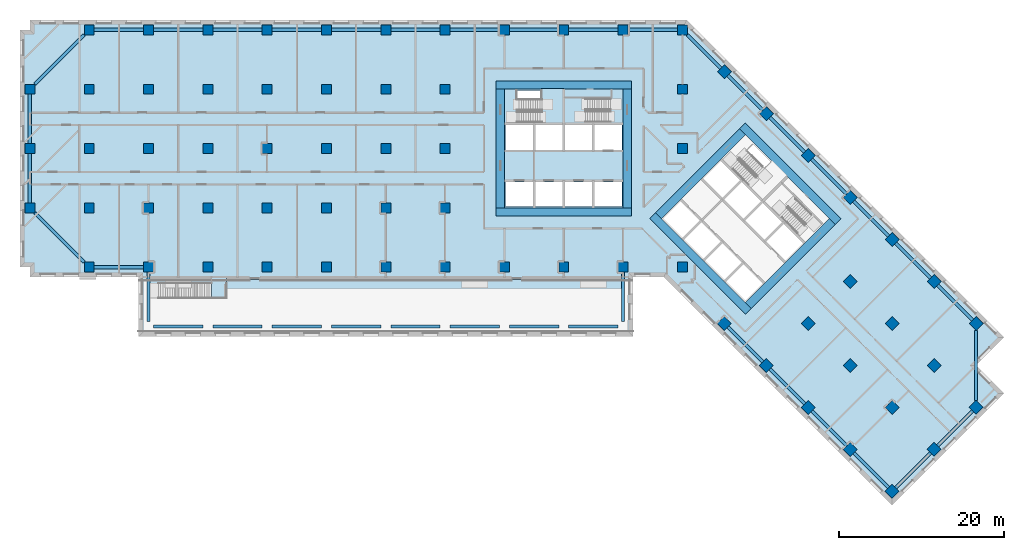
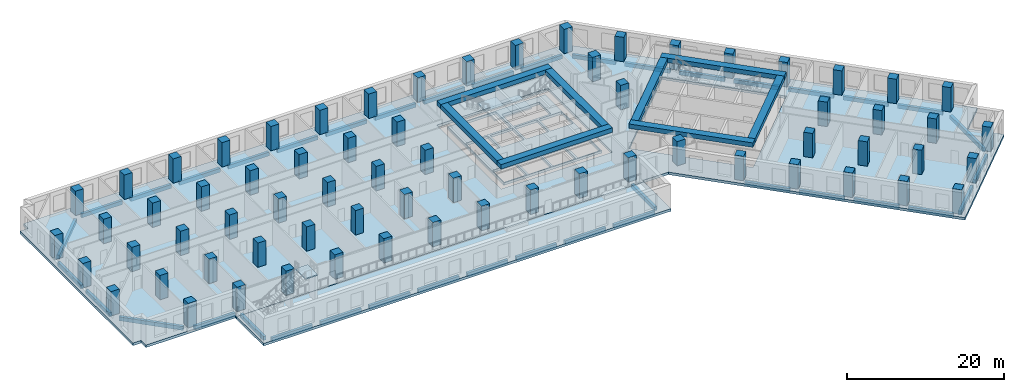
# One storey, part 1 of 14: 68 columns, 47 beams, 6 slabs, 12 openings, 3 elements without a shape of their own.
"""IFC4 building model written with IfcOpenShell, lengths in metres."""

from ifc_helpers import new_model, si_unit, direction, frame, origin, origin_2d, place, context, subcontext, project, spatial, polyline, rectangle, outline, extrude, material, layer, layer_set, material_profile, profile_set, type_object, element, aggregate, save


model = new_model("IFC4")

# Units and contexts
model_context = context("Model", 3, precision=1e-05, world=origin(), true_north=direction((0.0, 1.0)))
body_context = subcontext(model_context, "Body", "Model", "MODEL_VIEW")
ifc_project = project(units=[si_unit("LENGTHUNIT", "METRE"), si_unit("AREAUNIT", "SQUARE_METRE"), si_unit("VOLUMEUNIT", "CUBIC_METRE"), si_unit("PLANEANGLEUNIT", "RADIAN"), si_unit("MASSUNIT", "GRAM", prefix="KILO")], contexts=[model_context])

# Site, building, storey
site_placement = place(None, origin())
site = spatial("IfcSite", under=ifc_project, at=site_placement, CompositionType="ELEMENT")
building_placement = place(site_placement, origin())
building = spatial("IfcBuilding", under=site, at=building_placement, Name="Windrow Commons", CompositionType="ELEMENT")
storey_placement = place(building_placement, frame((0.0, 0.0, 18.6)))
storey = spatial("IfcBuildingStorey", under=building, at=storey_placement, Name="L04", CompositionType="ELEMENT", Elevation=18.6)

# Columns
ifc_material_1 = material(Name="Concrete C60/75", Category="concrete")
ifc_material_profile_1 = material_profile(ifc_material_1, rectangle(XDim=1.2, YDim=1.2, at=origin_2d()))
ifc_profile_set_1 = profile_set([ifc_material_profile_1], Name="Concrete C60/75")
column_type = type_object("IfcColumnType", Name="RC COLUMN 1200x1200 C60/75", PredefinedType="COLUMN", material=ifc_profile_set_1)
for number, where, z_axis, x_axis, name in (
    (1, (0.0, 50.4, 0.0), (0.0, 0.0, 1.0), (1.0, 0.0, 0.0), "C-P-01G"),
    (2, (0.0, 57.6, 0.0), (0.0, 0.0, 1.0), (1.0, 0.0, 0.0), "C-P-01H"),
    (3, (0.0, 64.8, 0.0), (0.0, 0.0, 1.0), (1.0, 0.0, 0.0), "C-P-01I"),
    (4, (7.2, 43.2, 0.0), (0.0, 0.0, 1.0), (1.0, 0.0, 0.0), "C-P-02F"),
    (5, (7.2, 50.4, 0.0), (0.0, 0.0, 1.0), (1.0, 0.0, 0.0), "C-P-02G"),
    (6, (7.2, 57.6, 0.0), (0.0, 0.0, 1.0), (1.0, 0.0, 0.0), "C-P-02H"),
    (7, (7.2, 64.8, 0.0), (0.0, 0.0, 1.0), (1.0, 0.0, 0.0), "C-P-02I"),
    (8, (7.2, 72.0, 0.0), (0.0, 0.0, 1.0), (1.0, 0.0, 0.0), "C-P-02J"),
    (9, (14.4, 43.2, 0.0), (0.0, 0.0, 1.0), (1.0, 0.0, 0.0), "C-P-03F"),
    (10, (14.4, 50.4, 0.0), (0.0, 0.0, 1.0), (1.0, 0.0, 0.0), "C-P-03G"),
    (11, (14.4, 57.6, 0.0), (0.0, 0.0, 1.0), (1.0, 0.0, 0.0), "C-P-03H"),
    (12, (14.4, 64.8, 0.0), (0.0, 0.0, 1.0), (1.0, 0.0, 0.0), "C-P-03I"),
    (13, (14.4, 72.0, 0.0), (0.0, 0.0, 1.0), (1.0, 0.0, 0.0), "C-P-03J"),
    (14, (21.6, 43.2, 0.0), (0.0, 0.0, 1.0), (1.0, 0.0, 0.0), "C-P-04F"),
    (15, (21.6, 50.4, 0.0), (0.0, 0.0, 1.0), (1.0, 0.0, 0.0), "C-P-04G"),
    (16, (21.6, 57.6, 0.0), (0.0, 0.0, 1.0), (1.0, 0.0, 0.0), "C-P-04H"),
    (17, (21.6, 64.8, 0.0), (0.0, 0.0, 1.0), (1.0, 0.0, 0.0), "C-P-04I"),
    (18, (21.6, 72.0, 0.0), (0.0, 0.0, 1.0), (1.0, 0.0, 0.0), "C-P-04J"),
    (19, (28.8, 43.2, 0.0), (0.0, 0.0, 1.0), (1.0, 0.0, 0.0), "C-P-05F"),
    (20, (28.8, 50.4, 0.0), (0.0, 0.0, 1.0), (1.0, 0.0, 0.0), "C-P-05G"),
    (21, (28.8, 57.6, 0.0), (0.0, 0.0, 1.0), (1.0, 0.0, 0.0), "C-P-05H"),
    (22, (28.8, 64.8, 0.0), (0.0, 0.0, 1.0), (1.0, 0.0, 0.0), "C-P-05I"),
    (23, (28.8, 72.0, 0.0), (0.0, 0.0, 1.0), (1.0, 0.0, 0.0), "C-P-05J"),
    (24, (36.0, 43.2, 0.0), (0.0, 0.0, 1.0), (1.0, 0.0, 0.0), "C-P-06F"),
    (25, (36.0, 50.4, 0.0), (0.0, 0.0, 1.0), (1.0, 0.0, 0.0), "C-P-06G"),
    (26, (36.0, 57.6, 0.0), (0.0, 0.0, 1.0), (1.0, 0.0, 0.0), "C-P-06H"),
    (27, (36.0, 64.8, 0.0), (0.0, 0.0, 1.0), (1.0, 0.0, 0.0), "C-P-06I"),
    (28, (36.0, 72.0, 0.0), (0.0, 0.0, 1.0), (1.0, 0.0, 0.0), "C-P-06J"),
    (29, (43.2, 43.2, 0.0), (0.0, 0.0, 1.0), (1.0, 0.0, 0.0), "C-P-07F"),
    (30, (43.2, 50.4, 0.0), (0.0, 0.0, 1.0), (1.0, 0.0, 0.0), "C-P-07G"),
    (31, (43.2, 57.6, 0.0), (0.0, 0.0, 1.0), (1.0, 0.0, 0.0), "C-P-07H"),
    (32, (43.2, 64.8, 0.0), (0.0, 0.0, 1.0), (1.0, 0.0, 0.0), "C-P-07I"),
    (33, (43.2, 72.0, 0.0), (0.0, 0.0, 1.0), (1.0, 0.0, 0.0), "C-P-07J"),
    (34, (50.4, 43.2, 0.0), (0.0, 0.0, 1.0), (1.0, 0.0, 0.0), "C-P-08F"),
    (35, (50.4, 50.4, 0.0), (0.0, 0.0, 1.0), (1.0, 0.0, 0.0), "C-P-08G"),
    (36, (50.4, 57.6, 0.0), (0.0, 0.0, 1.0), (1.0, 0.0, 0.0), "C-P-08H"),
    (37, (50.4, 64.8, 0.0), (0.0, 0.0, 1.0), (1.0, 0.0, 0.0), "C-P-08I"),
    (38, (50.4, 72.0, 0.0), (0.0, 0.0, 1.0), (1.0, 0.0, 0.0), "C-P-08J"),
    (39, (57.6, 43.2, 0.0), (0.0, 0.0, 1.0), (1.0, 0.0, 0.0), "C-P-09F"),
    (40, (57.6, 72.0, 0.0), (0.0, 0.0, 1.0), (1.0, 0.0, 0.0), "C-P-09J"),
    (41, (64.8, 43.2, 0.0), (0.0, 0.0, 1.0), (1.0, 0.0, 0.0), "C-P-10F"),
    (42, (64.8, 72.0, 0.0), (0.0, 0.0, 1.0), (1.0, 0.0, 0.0), "C-P-10J"),
    (43, (72.0, 43.2, 0.0), (0.0, 0.0, 1.0), (1.0, 0.0, 0.0), "C-P-11F"),
    (44, (72.0, 72.0, 0.0), (0.0, 0.0, 1.0), (1.0, 0.0, 0.0), "C-P-11J"),
    (45, (79.2, 43.2, 0.0), (0.0, 0.0, 1.0), (1.0, 0.0, 0.0), "C-P-12F"),
    (46, (79.2, 57.6, 0.0), (0.0, 0.0, 1.0), (1.0, 0.0, 0.0), "C-P-12H"),
    (47, (79.2, 64.8, 0.0), (0.0, 0.0, 1.0), (1.0, 0.0, 0.0), "C-P-12I"),
    (48, (79.2, 72.0, 0.0), (0.0, 0.0, 1.0), (1.0, 0.0, 0.0), "C-P-12J"),
    (49, (84.2912, 66.9088, 0.0), (0.0, 0.0, 1.0), (0.7071067812, -0.7071067812, 0.0), "C-P-P2Q"),
    (50, (89.3823, 61.8177, 0.0), (0.0, 0.0, 1.0), (0.7071067812, -0.7071067812, 0.0), "C-P-P3Q"),
    (51, (94.4735, 56.7265, 0.0), (0.0, 0.0, 1.0), (0.7071067812, -0.7071067812, 0.0), "C-P-P4Q"),
    (52, (99.5647, 51.6353, 0.0), (0.0, 0.0, 1.0), (0.7071067812, -0.7071067812, 0.0), "C-P-P5Q"),
    (53, (84.2912, 36.3618, 0.0), (0.0, 0.0, 1.0), (0.7071067812, -0.7071067812, 0.0), "C-P-P5T"),
    (54, (104.6558, 46.5442, 0.0), (0.0, 0.0, 1.0), (0.7071067812, -0.7071067812, 0.0), "C-P-P6Q"),
    (55, (99.5647, 41.453, 0.0), (0.0, 0.0, 1.0), (0.7071067812, -0.7071067812, 0.0), "C-P-P6R"),
    (56, (94.4735, 36.3618, 0.0), (0.0, 0.0, 1.0), (0.7071067812, -0.7071067812, 0.0), "C-P-P6S"),
    (57, (89.3823, 31.2706, 0.0), (0.0, 0.0, 1.0), (0.7071067812, -0.7071067812, 0.0), "C-P-P6T"),
    (58, (109.747, 41.453, 0.0), (0.0, 0.0, 1.0), (0.7071067812, -0.7071067812, 0.0), "C-P-P7Q"),
    (59, (104.6558, 36.3618, 0.0), (0.0, 0.0, 1.0), (0.7071067812, -0.7071067812, 0.0), "C-P-P7R"),
    (60, (99.5647, 31.2706, 0.0), (0.0, 0.0, 1.0), (0.7071067812, -0.7071067812, 0.0), "C-P-P7S"),
    (61, (94.4735, 26.1795, 0.0), (0.0, 0.0, 1.0), (0.7071067812, -0.7071067812, 0.0), "C-P-P7T"),
    (62, (114.8382, 36.3618, 0.0), (0.0, 0.0, 1.0), (0.7071067812, -0.7071067812, 0.0), "C-P-P8Q"),
    (63, (109.747, 31.2706, 0.0), (0.0, 0.0, 1.0), (0.7071067812, -0.7071067812, 0.0), "C-P-P8R"),
    (64, (104.6558, 26.1795, 0.0), (0.0, 0.0, 1.0), (0.7071067812, -0.7071067812, 0.0), "C-P-P8S"),
    (65, (99.5647, 21.0883, 0.0), (0.0, 0.0, 1.0), (0.7071067812, -0.7071067812, 0.0), "C-P-P8T"),
    (66, (114.8382, 26.1795, 0.0), (0.0, 0.0, 1.0), (0.7071067812, -0.7071067812, 0.0), "C-P-P9R"),
    (67, (109.747, 21.0883, 0.0), (0.0, 0.0, 1.0), (0.7071067812, -0.7071067812, 0.0), "C-P-P9S"),
    (68, (104.6558, 15.9971, 0.0), (0.0, 0.0, 1.0), (0.7071067812, -0.7071067812, 0.0), "C-P-P9T"),
):
    element("IfcColumn", number, at=place(storey_placement, frame(where, z_axis=z_axis, x_axis=x_axis)), inside=storey, type_object=column_type, Name=name, PredefinedType="COLUMN", context=body_context, shape_type="SweptSolid", body=[
        extrude(rectangle(XDim=1.2, YDim=1.2, at=origin_2d()), origin(), (0.0, 0.0, 1.0), 3.8),
    ])

# Beams
ifc_material_2 = material(Name="Concrete C60/75", Category="concrete")
ifc_material_profile_2 = material_profile(ifc_material_2, rectangle(XDim=1.0, YDim=0.7, at=origin_2d()))
ifc_profile_set_2 = profile_set([ifc_material_profile_2], Name="Concrete C60/75")
beam_type_1 = type_object("IfcBeamType", Name="RC COUPLING BEAM 1000x700 C60/75", PredefinedType="LINTEL", material=ifc_profile_set_2)
for number, where, z_axis, x_axis, name in (
    (69, (56.6, 49.9, 3.45), (1.0, 0.0, 0.0), (0.0, 1.0, 0.0), "Core A coupling beam outer-S"),
    (70, (56.6, 65.3, 3.45), (1.0, 0.0, 0.0), (0.0, 1.0, 0.0), "Core A coupling beam outer-N"),
):
    element("IfcBeam", number, at=place(storey_placement, frame(where, z_axis=z_axis, x_axis=x_axis)), inside=storey, type_object=beam_type_1, Name=name, PredefinedType="LINTEL", context=body_context, shape_type="SweptSolid", body=[
        extrude(rectangle(XDim=1.0, YDim=0.7, at=origin_2d()), origin(), (0.0, 0.0, 1.0), 16.4),
    ])
for number, where, z_axis, x_axis, name in (
    (71, (57.1, 50.4, 3.45), (0.0, 1.0, 0.0), (-1.0, 0.0, 0.0), "Core A coupling beam outer-W"),
    (72, (72.5, 50.4, 3.45), (0.0, 1.0, 0.0), (-1.0, 0.0, 0.0), "Core A coupling beam outer-E"),
):
    element("IfcBeam", number, at=place(storey_placement, frame(where, z_axis=z_axis, x_axis=x_axis)), inside=storey, type_object=beam_type_1, Name=name, PredefinedType="LINTEL", context=body_context, shape_type="SweptSolid", body=[
        extrude(rectangle(XDim=1.0, YDim=0.7, at=origin_2d()), origin(), (0.0, 0.0, 1.0), 14.4),
    ])
for number, where, z_axis, x_axis, name in (
    (73, (75.5938, 49.4433, 3.45), (0.7071037324, -0.70710983, 0.0), (0.70710983, 0.7071037324, 0.0), "Core B coupling beam outer-S"),
    (74, (86.4832, 60.3327, 3.45), (0.70710983, -0.7071037324, 0.0), (0.7071037324, 0.70710983, 0.0), "Core B coupling beam outer-N"),
):
    element("IfcBeam", number, at=place(storey_placement, frame(where, z_axis=z_axis, x_axis=x_axis)), inside=storey, type_object=beam_type_1, Name=name, PredefinedType="LINTEL", context=body_context, shape_type="SweptSolid", body=[
        extrude(rectangle(XDim=1.0, YDim=0.7, at=origin_2d()), origin(), (0.0, 0.0, 1.0), 16.4),
    ])
beam_1_placement = place(storey_placement, frame((76.3009, 49.4433, 3.45), z_axis=(0.7071067812, 0.7071067812, 0.0), x_axis=(-0.7071067812, 0.7071067812, 0.0)))
element("IfcBeam", 75, at=beam_1_placement, inside=storey, type_object=beam_type_1, Name="Core B coupling beam outer-W", PredefinedType="LINTEL", context=body_context, shape_type="SweptSolid", body=[
    extrude(rectangle(XDim=1.0, YDim=0.7, at=origin_2d()), origin(), (0.0, 0.0, 1.0), 14.3999),
])
beam_2_placement = place(storey_placement, frame((87.1903, 38.5538, 3.45), z_axis=(0.707103309, 0.7071102534, 0.0), x_axis=(-0.7071102534, 0.707103309, 0.0)))
element("IfcBeam", 76, at=beam_2_placement, inside=storey, type_object=beam_type_1, Name="Core B coupling beam outer-E", PredefinedType="LINTEL", context=body_context, shape_type="SweptSolid", body=[
    extrude(rectangle(XDim=1.0, YDim=0.7, at=origin_2d()), origin(), (0.0, 0.0, 1.0), 14.4),
])
ifc_material_3 = material(Name="Concrete C60/75", Category="concrete")
ifc_material_profile_3 = material_profile(ifc_material_3, rectangle(XDim=0.4, YDim=0.6, at=origin_2d()))
ifc_profile_set_3 = profile_set([ifc_material_profile_3], Name="Concrete C60/75")
beam_type_2 = type_object("IfcBeamType", Name="RC EDGE BEAM 400x600 C60/75", PredefinedType="SPANDREL", material=ifc_profile_set_3)
for number, where, z_axis, x_axis, name in (
    (77, (21.0, 36.0, -0.7), (-1.0, 0.0, 0.0), (0.0, -1.0, 0.0), "Edge beam L04 001"),
    (78, (14.4, 36.6, -0.7), (0.0, 1.0, 0.0), (-1.0, 0.0, 0.0), "Edge beam L04 002"),
    (79, (13.8, 43.2, -0.7), (-1.0, 0.0, 0.0), (0.0, -1.0, 0.0), "Edge beam L04 003"),
):
    element("IfcBeam", number, at=place(storey_placement, frame(where, z_axis=z_axis, x_axis=x_axis)), inside=storey, type_object=beam_type_2, Name=name, PredefinedType="SPANDREL", context=body_context, shape_type="SweptSolid", body=[
        extrude(rectangle(XDim=0.4, YDim=0.6, at=origin_2d()), origin(), (0.0, 0.0, 1.0), 6.0),
    ])
beam_3_placement = place(storey_placement, frame((6.6, 43.8, -0.7), z_axis=(-0.7071067812, 0.7071067812, 0.0), x_axis=(-0.7071067812, -0.7071067812, 0.0)))
element("IfcBeam", 80, at=beam_3_placement, inside=storey, type_object=beam_type_2, Name="Edge beam L04 004", PredefinedType="SPANDREL", context=body_context, shape_type="SweptSolid", body=[
    extrude(rectangle(XDim=0.4, YDim=0.6, at=origin_2d()), origin(), (0.0, 0.0, 1.0), 8.4853),
])
for number, where, z_axis, x_axis, name in (
    (81, (0.0, 51.0, -0.7), (0.0, 1.0, 0.0), (-1.0, 0.0, 0.0), "Edge beam L04 005"),
    (82, (0.0, 58.2, -0.7), (0.0, 1.0, 0.0), (-1.0, 0.0, 0.0), "Edge beam L04 006"),
):
    element("IfcBeam", number, at=place(storey_placement, frame(where, z_axis=z_axis, x_axis=x_axis)), inside=storey, type_object=beam_type_2, Name=name, PredefinedType="SPANDREL", context=body_context, shape_type="SweptSolid", body=[
        extrude(rectangle(XDim=0.4, YDim=0.6, at=origin_2d()), origin(), (0.0, 0.0, 1.0), 6.0),
    ])
beam_4_placement = place(storey_placement, frame((0.6, 65.4, -0.7), z_axis=(0.7071067812, 0.7071067812, 0.0), x_axis=(-0.7071067812, 0.7071067812, 0.0)))
element("IfcBeam", 83, at=beam_4_placement, inside=storey, type_object=beam_type_2, Name="Edge beam L04 007", PredefinedType="SPANDREL", context=body_context, shape_type="SweptSolid", body=[
    extrude(rectangle(XDim=0.4, YDim=0.6, at=origin_2d()), origin(), (0.0, 0.0, 1.0), 8.4853),
])
for number, where, z_axis, x_axis, name in (
    (84, (7.8, 72.0, -0.7), (1.0, 0.0, 0.0), (0.0, 1.0, 0.0), "Edge beam L04 008"),
    (85, (15.0, 72.0, -0.7), (1.0, 0.0, 0.0), (0.0, 1.0, 0.0), "Edge beam L04 009"),
    (86, (22.2, 72.0, -0.7), (1.0, 0.0, 0.0), (0.0, 1.0, 0.0), "Edge beam L04 010"),
    (87, (29.4, 72.0, -0.7), (1.0, 0.0, 0.0), (0.0, 1.0, 0.0), "Edge beam L04 011"),
    (88, (36.6, 72.0, -0.7), (1.0, 0.0, 0.0), (0.0, 1.0, 0.0), "Edge beam L04 012"),
    (89, (43.8, 72.0, -0.7), (1.0, 0.0, 0.0), (0.0, 1.0, 0.0), "Edge beam L04 013"),
    (90, (51.0, 72.0, -0.7), (1.0, 0.0, 0.0), (0.0, 1.0, 0.0), "Edge beam L04 014"),
    (91, (58.2, 72.0, -0.7), (1.0, 0.0, 0.0), (0.0, 1.0, 0.0), "Edge beam L04 015"),
    (92, (65.4, 72.0, -0.7), (1.0, 0.0, 0.0), (0.0, 1.0, 0.0), "Edge beam L04 016"),
    (93, (72.6, 72.0, -0.7), (1.0, 0.0, 0.0), (0.0, 1.0, 0.0), "Edge beam L04 017"),
):
    element("IfcBeam", number, at=place(storey_placement, frame(where, z_axis=z_axis, x_axis=x_axis)), inside=storey, type_object=beam_type_2, Name=name, PredefinedType="SPANDREL", context=body_context, shape_type="SweptSolid", body=[
        extrude(rectangle(XDim=0.4, YDim=0.6, at=origin_2d()), origin(), (0.0, 0.0, 1.0), 6.0),
    ])
beam_5_placement = place(storey_placement, frame((79.8, 71.4, -0.7), z_axis=(0.7071067812, -0.7071067812, 0.0), x_axis=(0.7071067812, 0.7071067812, 0.0)))
element("IfcBeam", 94, at=beam_5_placement, inside=storey, type_object=beam_type_2, Name="Edge beam L04 018", PredefinedType="SPANDREL", context=body_context, shape_type="SweptSolid", body=[
    extrude(rectangle(XDim=0.4, YDim=0.6, at=origin_2d()), origin(), (0.0, 0.0, 1.0), 5.7515),
])
beam_6_placement = place(storey_placement, frame((84.7155, 66.4845, -0.7), z_axis=(0.7071067812, -0.7071067812, 0.0), x_axis=(0.7071067812, 0.7071067812, 0.0)))
element("IfcBeam", 95, at=beam_6_placement, inside=storey, type_object=beam_type_2, Name="Edge beam L04 019", PredefinedType="SPANDREL", context=body_context, shape_type="SweptSolid", body=[
    extrude(rectangle(XDim=0.4, YDim=0.6, at=origin_2d()), origin(), (0.0, 0.0, 1.0), 5.9998),
])
for number, where, z_axis, x_axis, name in (
    (96, (89.8066, 61.3934, -0.7), (0.7071067812, -0.7071067812, 0.0), (0.7071067812, 0.7071067812, 0.0), "Edge beam L04 020"),
    (97, (94.8978, 56.3022, -0.7), (0.7071067812, -0.7071067812, 0.0), (0.7071067812, 0.7071067812, 0.0), "Edge beam L04 021"),
):
    element("IfcBeam", number, at=place(storey_placement, frame(where, z_axis=z_axis, x_axis=x_axis)), inside=storey, type_object=beam_type_2, Name=name, PredefinedType="SPANDREL", context=body_context, shape_type="SweptSolid", body=[
        extrude(rectangle(XDim=0.4, YDim=0.6, at=origin_2d()), origin(), (0.0, 0.0, 1.0), 5.9999),
    ])
beam_7_placement = place(storey_placement, frame((99.989, 51.211, -0.7), z_axis=(0.7071067812, -0.7071067812, 0.0), x_axis=(0.7071067812, 0.7071067812, 0.0)))
element("IfcBeam", 98, at=beam_7_placement, inside=storey, type_object=beam_type_2, Name="Edge beam L04 022", PredefinedType="SPANDREL", context=body_context, shape_type="SweptSolid", body=[
    extrude(rectangle(XDim=0.4, YDim=0.6, at=origin_2d()), origin(), (0.0, 0.0, 1.0), 5.9998),
])
for number, where, z_axis, x_axis, name in (
    (99, (105.0801, 46.1199, -0.7), (0.7071067812, -0.7071067812, 0.0), (0.7071067812, 0.7071067812, 0.0), "Edge beam L04 023"),
    (100, (110.1713, 41.0287, -0.7), (0.7071067812, -0.7071067812, 0.0), (0.7071067812, 0.7071067812, 0.0), "Edge beam L04 024"),
):
    element("IfcBeam", number, at=place(storey_placement, frame(where, z_axis=z_axis, x_axis=x_axis)), inside=storey, type_object=beam_type_2, Name=name, PredefinedType="SPANDREL", context=body_context, shape_type="SweptSolid", body=[
        extrude(rectangle(XDim=0.4, YDim=0.6, at=origin_2d()), origin(), (0.0, 0.0, 1.0), 5.9999),
    ])
beam_8_placement = place(storey_placement, frame((114.8382, 35.5133, -0.7), z_axis=(0.0, -1.0, 0.0), x_axis=(1.0, 0.0, 0.0)))
element("IfcBeam", 101, at=beam_8_placement, inside=storey, type_object=beam_type_2, Name="Edge beam L04 025", PredefinedType="SPANDREL", context=body_context, shape_type="SweptSolid", body=[
    extrude(rectangle(XDim=0.4, YDim=0.6, at=origin_2d()), origin(), (0.0, 0.0, 1.0), 8.4853),
])
for number, where, z_axis, x_axis, name in (
    (102, (114.4139, 25.7552, -0.7), (-0.7071067812, -0.7071067812, 0.0), (0.7071067812, -0.7071067812, 0.0), "Edge beam L04 026"),
    (103, (109.3227, 20.664, -0.7), (-0.7071067812, -0.7071067812, 0.0), (0.7071067812, -0.7071067812, 0.0), "Edge beam L04 027"),
    (104, (104.2315, 16.4214, -0.7), (-0.7070984476, 0.7071151146, 0.0), (-0.7071151146, -0.7070984476, 0.0), "Edge beam L04 028"),
    (105, (99.1404, 21.5126, -0.7), (-0.7071067812, 0.7071067812, 0.0), (-0.7071067812, -0.7071067812, 0.0), "Edge beam L04 029"),
    (106, (94.0492, 26.6038, -0.7), (-0.7071151146, 0.7070984476, 0.0), (-0.7070984476, -0.7071151146, 0.0), "Edge beam L04 030"),
    (107, (88.958, 31.6949, -0.7), (-0.7070984476, 0.7071151146, 0.0), (-0.7071151146, -0.7070984476, 0.0), "Edge beam L04 031"),
):
    element("IfcBeam", number, at=place(storey_placement, frame(where, z_axis=z_axis, x_axis=x_axis)), inside=storey, type_object=beam_type_2, Name=name, PredefinedType="SPANDREL", context=body_context, shape_type="SweptSolid", body=[
        extrude(rectangle(XDim=0.4, YDim=0.6, at=origin_2d()), origin(), (0.0, 0.0, 1.0), 5.9999),
    ])
for number, where, z_axis, x_axis, name in (
    (108, (72.0, 42.6, -0.7), (0.0, -1.0, 0.0), (1.0, 0.0, 0.0), "Edge beam L04 032"),
    (109, (71.4, 36.0, -0.7), (-1.0, 0.0, 0.0), (0.0, -1.0, 0.0), "Edge beam L04 033"),
    (110, (64.2, 36.0, -0.7), (-1.0, 0.0, 0.0), (0.0, -1.0, 0.0), "Edge beam L04 034"),
    (111, (57.0, 36.0, -0.7), (-1.0, 0.0, 0.0), (0.0, -1.0, 0.0), "Edge beam L04 035"),
    (112, (49.8, 36.0, -0.7), (-1.0, 0.0, 0.0), (0.0, -1.0, 0.0), "Edge beam L04 036"),
    (113, (42.6, 36.0, -0.7), (-1.0, 0.0, 0.0), (0.0, -1.0, 0.0), "Edge beam L04 037"),
    (114, (35.4, 36.0, -0.7), (-1.0, 0.0, 0.0), (0.0, -1.0, 0.0), "Edge beam L04 038"),
    (115, (28.2, 36.0, -0.7), (-1.0, 0.0, 0.0), (0.0, -1.0, 0.0), "Edge beam L04 039"),
):
    element("IfcBeam", number, at=place(storey_placement, frame(where, z_axis=z_axis, x_axis=x_axis)), inside=storey, type_object=beam_type_2, Name=name, PredefinedType="SPANDREL", context=body_context, shape_type="SweptSolid", body=[
        extrude(rectangle(XDim=0.4, YDim=0.6, at=origin_2d()), origin(), (0.0, 0.0, 1.0), 6.0),
    ])

# Slab, openings
ifc_material_4 = material(Name="Concrete C60/75", Category="concrete")
ifc_layer_1 = layer(ifc_material_4, 0.4)
ifc_layer_set_1 = layer_set([ifc_layer_1], Name="CORE FLOOR SLAB 400 C60/75")
slab_type_1 = type_object("IfcSlabType", Name="CORE FLOOR SLAB 400 C60/75", PredefinedType="FLOOR", material=ifc_layer_set_1)
placement_1 = place(storey_placement, frame((0.0, 0.0, -0.4)))
slab_1 = element("IfcSlab", 116, at=placement_1, inside=storey, type_object=slab_type_1, Name="S-L04-core-A", PredefinedType="FLOOR", context=body_context, shape_type="SweptSolid", body=[
    extrude(outline(polyline([(57.6, 50.4), (72.0, 50.4), (72.0, 64.8), (57.6, 64.8), (57.6, 50.4)]), holes=[polyline([(57.75, 50.55), (61.05, 50.55), (61.05, 53.55), (57.75, 53.55), (57.75, 50.55)]), polyline([(61.35, 50.55), (64.65, 50.55), (64.65, 53.55), (61.35, 53.55), (61.35, 50.55)]), polyline([(64.95, 50.55), (68.25, 50.55), (68.25, 53.55), (64.95, 53.55), (64.95, 50.55)]), polyline([(68.55, 50.55), (71.85, 50.55), (71.85, 53.55), (68.55, 53.55), (68.55, 50.55)]), polyline([(57.75, 57.45), (61.05, 57.45), (61.05, 60.45), (57.75, 60.45), (57.75, 57.45)]), polyline([(61.35, 57.45), (64.65, 57.45), (64.65, 60.45), (61.35, 60.45), (61.35, 57.45)]), polyline([(64.95, 57.45), (68.25, 57.45), (68.25, 60.45), (64.95, 60.45), (64.95, 57.45)]), polyline([(68.55, 57.45), (71.85, 57.45), (71.85, 60.45), (68.55, 60.45), (68.55, 57.45)]), polyline([(59.1, 60.75), (64.65, 60.75), (64.65, 64.65), (59.1, 64.65), (59.1, 60.75)]), polyline([(64.95, 60.75), (70.5, 60.75), (70.5, 63.705), (64.95, 63.705), (64.95, 60.75)])]), origin(), (0.0, 0.0, 1.0), 0.4),
])
opening_1_placement = place(placement_1, origin())
element("IfcOpeningElement", 117, at=opening_1_placement, cuts=slab_1, Name="Slab opening S-L04-core-A 1", PredefinedType="OPENING", context=body_context, shape_type="SweptSolid", body=[
    extrude(outline(polyline([(57.755, 50.555), (57.755, 53.545), (61.045, 53.545), (61.045, 50.555), (57.755, 50.555)])), origin(), (0.0, 0.0, 1.0), 0.4),
])
opening_2_placement = place(placement_1, origin())
element("IfcOpeningElement", 118, at=opening_2_placement, cuts=slab_1, Name="Slab opening S-L04-core-A 2", PredefinedType="OPENING", context=body_context, shape_type="SweptSolid", body=[
    extrude(outline(polyline([(61.355, 50.555), (61.355, 53.545), (64.645, 53.545), (64.645, 50.555), (61.355, 50.555)])), origin(), (0.0, 0.0, 1.0), 0.4),
])
opening_3_placement = place(placement_1, origin())
element("IfcOpeningElement", 119, at=opening_3_placement, cuts=slab_1, Name="Slab opening S-L04-core-A 3", PredefinedType="OPENING", context=body_context, shape_type="SweptSolid", body=[
    extrude(outline(polyline([(64.955, 50.555), (64.955, 53.545), (68.245, 53.545), (68.245, 50.555), (64.955, 50.555)])), origin(), (0.0, 0.0, 1.0), 0.4),
])
opening_4_placement = place(placement_1, origin())
element("IfcOpeningElement", 120, at=opening_4_placement, cuts=slab_1, Name="Slab opening S-L04-core-A 4", PredefinedType="OPENING", context=body_context, shape_type="SweptSolid", body=[
    extrude(outline(polyline([(68.555, 50.555), (68.555, 53.545), (71.845, 53.545), (71.845, 50.555), (68.555, 50.555)])), origin(), (0.0, 0.0, 1.0), 0.4),
])
opening_5_placement = place(placement_1, origin())
element("IfcOpeningElement", 121, at=opening_5_placement, cuts=slab_1, Name="Slab opening S-L04-core-A 5", PredefinedType="OPENING", context=body_context, shape_type="SweptSolid", body=[
    extrude(outline(polyline([(57.755, 57.455), (57.755, 60.445), (61.045, 60.445), (61.045, 57.455), (57.755, 57.455)])), origin(), (0.0, 0.0, 1.0), 0.4),
])
opening_6_placement = place(placement_1, origin())
element("IfcOpeningElement", 122, at=opening_6_placement, cuts=slab_1, Name="Slab opening S-L04-core-A 6", PredefinedType="OPENING", context=body_context, shape_type="SweptSolid", body=[
    extrude(outline(polyline([(61.355, 57.455), (61.355, 60.445), (64.645, 60.445), (64.645, 57.455), (61.355, 57.455)])), origin(), (0.0, 0.0, 1.0), 0.4),
])
opening_7_placement = place(placement_1, origin())
element("IfcOpeningElement", 123, at=opening_7_placement, cuts=slab_1, Name="Slab opening S-L04-core-A 7", PredefinedType="OPENING", context=body_context, shape_type="SweptSolid", body=[
    extrude(outline(polyline([(64.955, 57.455), (64.955, 60.445), (68.245, 60.445), (68.245, 57.455), (64.955, 57.455)])), origin(), (0.0, 0.0, 1.0), 0.4),
])
opening_8_placement = place(placement_1, origin())
element("IfcOpeningElement", 124, at=opening_8_placement, cuts=slab_1, Name="Slab opening S-L04-core-A 8", PredefinedType="OPENING", context=body_context, shape_type="SweptSolid", body=[
    extrude(outline(polyline([(68.555, 57.455), (68.555, 60.445), (71.845, 60.445), (71.845, 57.455), (68.555, 57.455)])), origin(), (0.0, 0.0, 1.0), 0.4),
])
opening_9_placement = place(placement_1, origin())
element("IfcOpeningElement", 125, at=opening_9_placement, cuts=slab_1, Name="Slab opening S-L04-core-A 9", PredefinedType="OPENING", context=body_context, shape_type="SweptSolid", body=[
    extrude(outline(polyline([(59.105, 60.755), (59.105, 64.645), (64.645, 64.645), (64.645, 60.755), (59.105, 60.755)])), origin(), (0.0, 0.0, 1.0), 0.4),
])
opening_10_placement = place(placement_1, origin())
element("IfcOpeningElement", 126, at=opening_10_placement, cuts=slab_1, Name="Slab opening S-L04-core-A 10", PredefinedType="OPENING", context=body_context, shape_type="SweptSolid", body=[
    extrude(outline(polyline([(64.955, 60.755), (64.955, 63.7), (70.495, 63.7), (70.495, 60.755), (64.955, 60.755)])), origin(), (0.0, 0.0, 1.0), 0.4),
])

# Stair, slab
ifc_material_5 = material(Name="Concrete C40/50", Category="concrete")
stair_type_1 = type_object("IfcStairType", Name="Core stair", PredefinedType="HALF_TURN_STAIR", material=ifc_material_5)
placement_2 = place(storey_placement, origin())
stair_1 = element("IfcStair", 127, at=placement_2, inside=storey, type_object=stair_type_1, Name="L04 Exit stair A1 core A", PredefinedType="HALF_TURN_STAIR")
ifc_material_6 = material(Name="Concrete C40/50", Category="concrete")
ifc_layer_2 = layer(ifc_material_6, 0.2)
ifc_layer_set_2 = layer_set([ifc_layer_2], Name="Core stair landing")
slab_type_2 = type_object("IfcSlabType", Name="Core stair landing", PredefinedType="LANDING", material=ifc_layer_set_2)
placement_3 = place(storey_placement, frame((0.0, 0.0, 1.9)))
slab_2 = element("IfcSlab", 128, at=placement_3, type_object=slab_type_2, Name="ST-A1 landing 1", PredefinedType="LANDING", context=body_context, shape_type="SweptSolid", body=[
    extrude(outline(polyline([(62.06, 60.5), (64.8, 60.5), (64.8, 64.9), (62.06, 64.9), (62.06, 60.5)])), origin(), (0.0, 0.0, 1.0), 0.2),
])
aggregate(stair_1, [slab_2])

stair_2 = element("IfcStair", 129, at=placement_2, inside=storey, type_object=stair_type_1, Name="L04 Exit stair A2 core A", PredefinedType="HALF_TURN_STAIR")
slab_3 = element("IfcSlab", 130, at=placement_3, type_object=slab_type_2, Name="ST-A2 landing 1", PredefinedType="LANDING", context=body_context, shape_type="SweptSolid", body=[
    extrude(outline(polyline([(64.8, 60.5), (67.54, 60.5), (67.54, 63.855), (64.8, 63.855), (64.8, 60.5)])), origin(), (0.0, 0.0, 1.0), 0.2),
])
aggregate(stair_2, [slab_3])

# Slab, openings
ifc_material_7 = material(Name="Concrete C60/75", Category="concrete")
ifc_layer_3 = layer(ifc_material_7, 0.4)
ifc_layer_set_3 = layer_set([ifc_layer_3], Name="FLOOR SLAB 400 C60/75")
slab_type_3 = type_object("IfcSlabType", Name="FLOOR SLAB 400 C60/75", PredefinedType="FLOOR", material=ifc_layer_set_3)
slab_4 = element("IfcSlab", 131, at=placement_1, inside=storey, type_object=slab_type_3, Name="S-L04-floor", PredefinedType="FLOOR", context=body_context, shape_type="SweptSolid", body=[
    extrude(outline(polyline([(73.2, 42.0), (76.9559, 42.0), (104.6558, 14.3001), (118.2323, 27.8765), (114.8382, 31.2706), (118.2323, 34.6648), (79.6971, 73.2), (0.0, 73.2), (0.0, 72.0), (-1.2, 72.0), (-1.2, 43.2), (0.0, 43.2), (0.0, 42.0), (13.2, 42.0), (13.2, 41.7), (73.2, 41.7), (73.2, 42.0)]), holes=[polyline([(75.2402, 49.0897), (86.8368, 60.6863), (98.4333, 49.0897), (86.8368, 37.4932), (75.2402, 49.0897)]), polyline([(56.6, 49.4), (56.6, 65.8), (73.0, 65.8), (73.0, 49.4), (56.6, 49.4)])]), origin(), (0.0, 0.0, 1.0), 0.4),
])
opening_11_placement = place(placement_1, origin())
element("IfcOpeningElement", 132, at=opening_11_placement, cuts=slab_4, Name="Slab opening S-L04-floor 1", PredefinedType="OPENING", context=body_context, shape_type="SweptSolid", body=[
    extrude(outline(polyline([(75.2473, 49.0897), (86.8368, 60.6792), (98.4262, 49.0897), (86.8368, 37.5003), (75.2473, 49.0897)])), origin(), (0.0, 0.0, 1.0), 0.4),
])
opening_12_placement = place(placement_1, origin())
element("IfcOpeningElement", 133, at=opening_12_placement, cuts=slab_4, Name="Slab opening S-L04-floor 2", PredefinedType="OPENING", context=body_context, shape_type="SweptSolid", body=[
    extrude(outline(polyline([(56.605, 49.405), (56.605, 65.795), (72.995, 65.795), (72.995, 49.405), (56.605, 49.405)])), origin(), (0.0, 0.0, 1.0), 0.4),
])

# Slab
ifc_material_8 = material(Name="Concrete C60/75", Category="concrete")
ifc_layer_4 = layer(ifc_material_8, 0.4)
ifc_layer_set_4 = layer_set([ifc_layer_4], Name="TERRACE SLAB 400 C60/75")
slab_type_4 = type_object("IfcSlabType", Name="TERRACE SLAB 400 C60/75", PredefinedType="FLOOR", material=ifc_layer_set_4)
element("IfcSlab", 134, at=placement_1, inside=storey, type_object=slab_type_4, Name="Terrace slab TR-L04-1", PredefinedType="FLOOR", context=body_context, shape_type="SweptSolid", body=[
    extrude(outline(polyline([(13.2, 34.8), (73.2, 34.8), (73.2, 41.7), (13.2, 41.7), (13.2, 34.8)])), origin(), (0.0, 0.0, 1.0), 0.4),
])

# Stair, slab
ifc_material_9 = material(Name="Concrete C40/50", Category="concrete")
stair_type_2 = type_object("IfcStairType", Name="Terrace public stair", PredefinedType="STRAIGHT_RUN_STAIR", material=ifc_material_9)
stair_3 = element("IfcStair", 135, at=placement_2, inside=storey, type_object=stair_type_2, Name="Public stair L04 to L05", PredefinedType="STRAIGHT_RUN_STAIR")
ifc_material_10 = material(Name="Concrete C40/50", Category="concrete")
ifc_layer_5 = layer(ifc_material_10, 0.2)
ifc_layer_set_5 = layer_set([ifc_layer_5], Name="Terrace public stair landing")
slab_type_5 = type_object("IfcSlabType", Name="Terrace public stair landing", PredefinedType="LANDING", material=ifc_layer_set_5)
slab_6_placement = place(storey_placement, frame((0.0, 0.0, 4.0)))
slab_6 = element("IfcSlab", 136, at=slab_6_placement, type_object=slab_type_5, Name="TST landing 1", PredefinedType="LANDING", context=body_context, shape_type="SweptSolid", body=[
    extrude(outline(polyline([(22.04, 42.0), (23.84, 42.0), (23.84, 39.45), (22.04, 39.45), (22.04, 42.0)])), origin(), (0.0, 0.0, 1.0), 0.2),
])
aggregate(stair_3, [slab_6])

save(model, "model.ifc")
